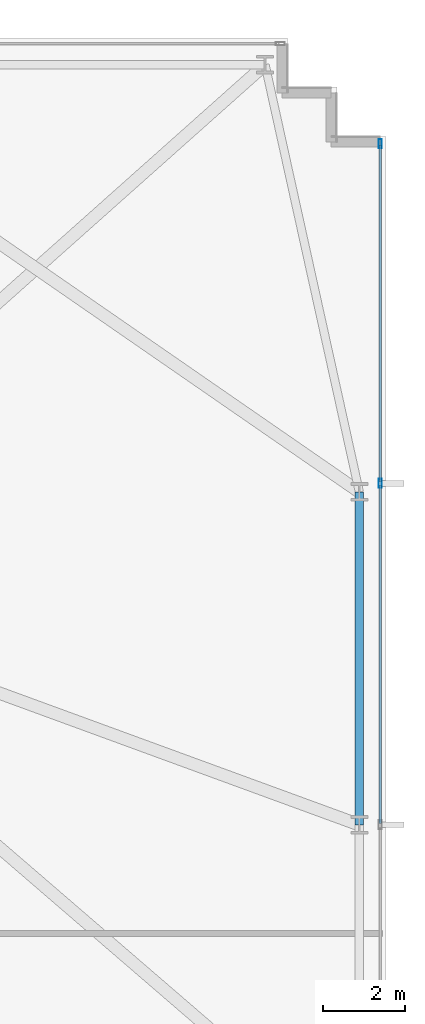
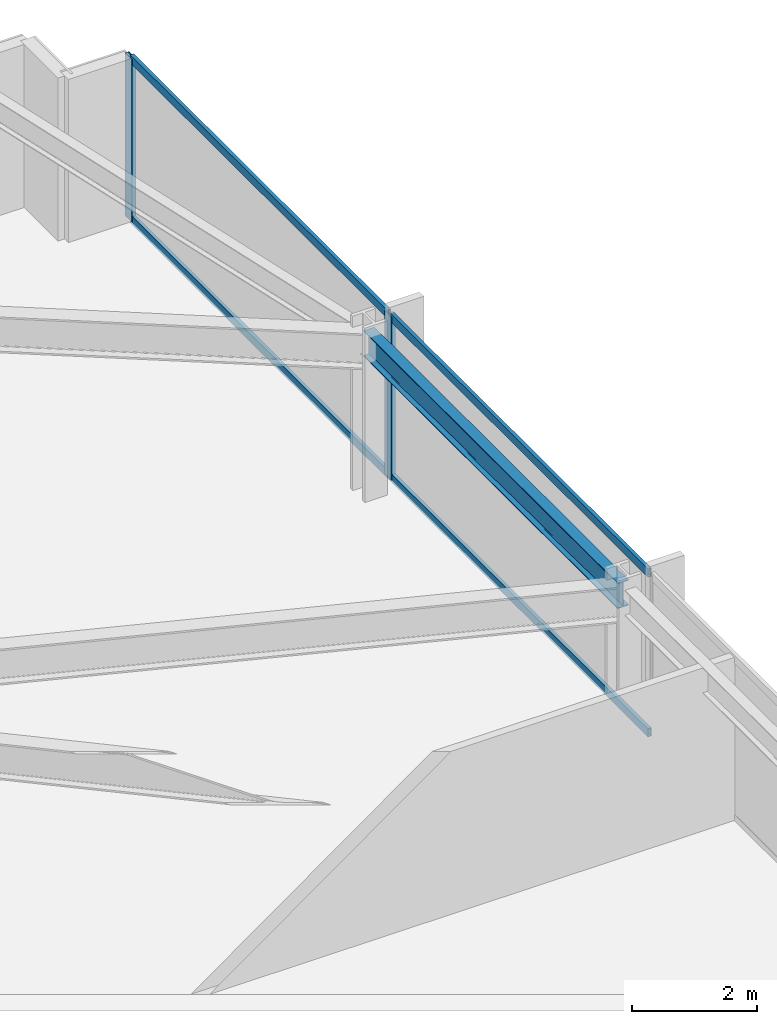
# One storey, part 23 of 33: 6 members, 1 beam, 1 element without a shape of its own.
"""IFC4 building model written with IfcOpenShell, lengths in metres."""

from ifc_helpers import new_model, si_unit, direction, frame, origin, origin_2d, place, context, subcontext, project, spatial, hollow_rectangle, i_section, extrude, material, material_profile, profile_set, type_object, element, aggregate, save


model = new_model("IFC4")

# Units and contexts
model_context = context("Model", 3, precision=1e-05, world=origin(), true_north=direction((0.0, 1.0)))
body_context = subcontext(model_context, "Body", "Model", "MODEL_VIEW")
ifc_project = project(units=[si_unit("LENGTHUNIT", "METRE"), si_unit("AREAUNIT", "SQUARE_METRE"), si_unit("VOLUMEUNIT", "CUBIC_METRE"), si_unit("PLANEANGLEUNIT", "RADIAN"), si_unit("MASSUNIT", "GRAM", prefix="KILO")], contexts=[model_context])

# Site, building, storey
site_placement = place(None, origin())
site = spatial("IfcSite", under=ifc_project, at=site_placement, CompositionType="ELEMENT")
building_placement = place(site_placement, origin())
building = spatial("IfcBuilding", under=site, at=building_placement, Name="Yelkora Congress Tower", CompositionType="ELEMENT")
storey_placement = place(building_placement, frame((0.0, 0.0, 54.199951171875)))
storey = spatial("IfcBuildingStorey", under=building, at=storey_placement, Name="L13", CompositionType="ELEMENT", Elevation=54.199951171875)

# Beam
ifc_material_1 = material(Name="Steel S355J2", Category="steel")
ifc_material_profile_1 = material_profile(ifc_material_1, i_section(OverallWidth=0.199951171875, OverallDepth=0.5, WebThickness=0.01025390625, FlangeThickness=0.01611328125, FilletRadius=0.02099609375, at=origin_2d()), Name="IPE 500")
ifc_profile_set_1 = profile_set([ifc_material_profile_1], Name="Steel S355J2")
beam_type = type_object("IfcBeamType", Name="BM-SPAN-IPE500", PredefinedType="SPANDREL", material=ifc_profile_set_1)
beam_placement = place(storey_placement, frame((70.14990234375, 29.39990234375, 2.929931640625), z_axis=(0.0, 1.0, 0.0), x_axis=(-1.0, 0.0, 0.0)))
element("IfcBeam", 1, at=beam_placement, inside=storey, type_object=beam_type, Name="L13 Perimeter Beam 12", PredefinedType="SPANDREL", context=body_context, shape_type="SweptSolid", body=[
    extrude(i_section(OverallWidth=0.199951171875, OverallDepth=0.5, WebThickness=0.01025390625, FlangeThickness=0.01611328125, FilletRadius=0.02099609375, at=origin_2d()), origin(), (0.0, 0.0, 1.0), 8.125),
])

# Curtain wall, members
ifc_material_2 = material(Name="Anodised aluminium and insulated glass", Category="aluminium")
curtain_wall_type = type_object("IfcCurtainWallType", Name="CW-SYS-B1", PredefinedType="NOTDEFINED", material=ifc_material_2)
curtain_wall_placement = place(storey_placement, origin())
curtain_wall = element("IfcCurtainWall", 2, at=curtain_wall_placement, inside=storey, type_object=curtain_wall_type, Name="L13 Unitised Curtain Wall 15", PredefinedType="NOTDEFINED")
ifc_material_3 = material(Name="Anodised aluminium 6063-T6", Category="aluminium")
ifc_material_profile_2 = material_profile(ifc_material_3, hollow_rectangle(XDim=0.074951171875, YDim=0.219970703125, WallThickness=0.0048828125, at=origin_2d()), Name="ALU 75x220x5")
ifc_profile_set_2 = profile_set([ifc_material_profile_2], Name="Anodised aluminium 6063-T6")
member_type_1 = type_object("IfcMemberType", Name="MEM-ML-B1", PredefinedType="MULLION", material=ifc_profile_set_2)
member_1_placement = place(storey_placement, frame((70.659912109375, 46.0224609375, 0.0), z_axis=(0.0, 0.0, 1.0), x_axis=(1.0, 0.0, 0.0)))
member_1 = element("IfcMember", 3, at=member_1_placement, type_object=member_type_1, Name="CW-B1 mullion 1", PredefinedType="MULLION", context=body_context, shape_type="SweptSolid", body=[
    extrude(hollow_rectangle(XDim=0.074951171875, YDim=0.219970703125, WallThickness=0.0048828125, at=origin_2d()), origin(), (0.0, 0.0, 1.0), 3.179931640625),
])
member_2_placement = place(storey_placement, frame((70.659912109375, 37.72998046875, 0.0), z_axis=(0.0, 0.0, 1.0), x_axis=(1.0, 0.0, 0.0)))
member_2 = element("IfcMember", 4, at=member_2_placement, type_object=member_type_1, Name="CW-B1 mullion 2", PredefinedType="MULLION", context=body_context, shape_type="SweptSolid", body=[
    extrude(hollow_rectangle(XDim=0.074951171875, YDim=0.219970703125, WallThickness=0.0048828125, at=origin_2d()), origin(), (0.0, 0.0, 1.0), 3.179931640625),
])
ifc_material_profile_3 = material_profile(ifc_material_3, hollow_rectangle(XDim=0.06494140625, YDim=0.159912109375, WallThickness=0.00390625, at=origin_2d()), Name="ALU 65x160x4")
ifc_profile_set_3 = profile_set([ifc_material_profile_3], Name="Anodised aluminium 6063-T6")
member_type_2 = type_object("IfcMemberType", Name="MEM-TR-B1", PredefinedType="USERDEFINED", material=ifc_profile_set_3)
member_3_placement = place(storey_placement, frame((70.659912109375, 45.985107421875, 0.032470703125), z_axis=(0.0, -1.0, 0.0), x_axis=(1.0, 0.0, 0.0)))
member_3 = element("IfcMember", 5, at=member_3_placement, type_object=member_type_2, Name="CW-B1 transom 1.1", ObjectType="TRANSOM", PredefinedType="USERDEFINED", context=body_context, shape_type="SweptSolid", body=[
    extrude(hollow_rectangle(XDim=0.06494140625, YDim=0.159912109375, WallThickness=0.00390625, at=origin_2d()), origin(), (0.0, 0.0, 1.0), 8.217529296875),
])
member_4_placement = place(storey_placement, frame((70.659912109375, 45.985107421875, 3.1474609375), z_axis=(0.0, -1.0, 0.0), x_axis=(1.0, 0.0, 0.0)))
member_4 = element("IfcMember", 6, at=member_4_placement, type_object=member_type_2, Name="CW-B1 transom 1.2", ObjectType="TRANSOM", PredefinedType="USERDEFINED", context=body_context, shape_type="SweptSolid", body=[
    extrude(hollow_rectangle(XDim=0.06494140625, YDim=0.159912109375, WallThickness=0.00390625, at=origin_2d()), origin(), (0.0, 0.0, 1.0), 8.217529296875),
])
member_5_placement = place(storey_placement, frame((70.659912109375, 37.6923828125, 0.032470703125), z_axis=(0.0, -1.0, 0.0), x_axis=(1.0, 0.0, 0.0)))
member_5 = element("IfcMember", 7, at=member_5_placement, type_object=member_type_2, Name="CW-B1 transom 2.1", ObjectType="TRANSOM", PredefinedType="USERDEFINED", context=body_context, shape_type="SweptSolid", body=[
    extrude(hollow_rectangle(XDim=0.06494140625, YDim=0.159912109375, WallThickness=0.00390625, at=origin_2d()), origin(), (0.0, 0.0, 1.0), 8.2548828125),
])
member_6_placement = place(storey_placement, frame((70.659912109375, 37.6923828125, 3.1474609375), z_axis=(0.0, -1.0, 0.0), x_axis=(1.0, 0.0, 0.0)))
member_6 = element("IfcMember", 8, at=member_6_placement, type_object=member_type_2, Name="CW-B1 transom 2.2", ObjectType="TRANSOM", PredefinedType="USERDEFINED", context=body_context, shape_type="SweptSolid", body=[
    extrude(hollow_rectangle(XDim=0.06494140625, YDim=0.159912109375, WallThickness=0.00390625, at=origin_2d()), origin(), (0.0, 0.0, 1.0), 8.2548828125),
])
aggregate(curtain_wall, [member_1, member_2, member_3, member_4, member_5, member_6])

save(model, "model.ifc")
